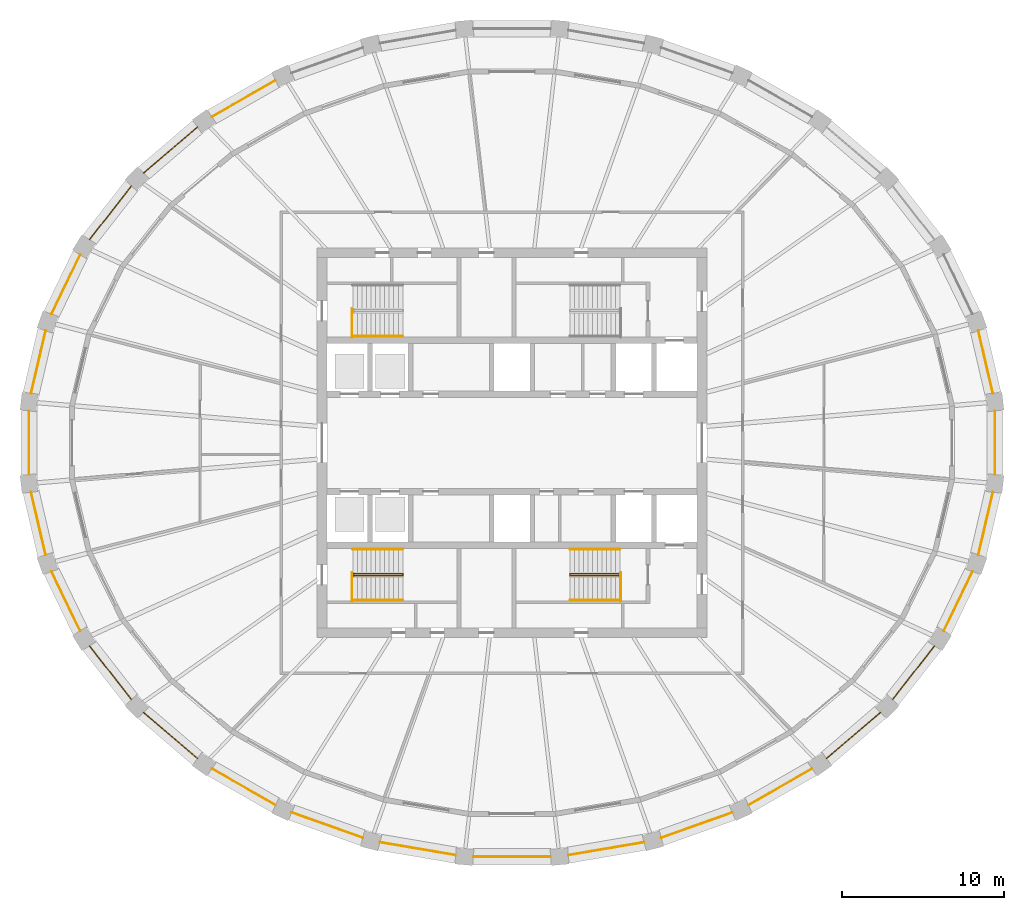
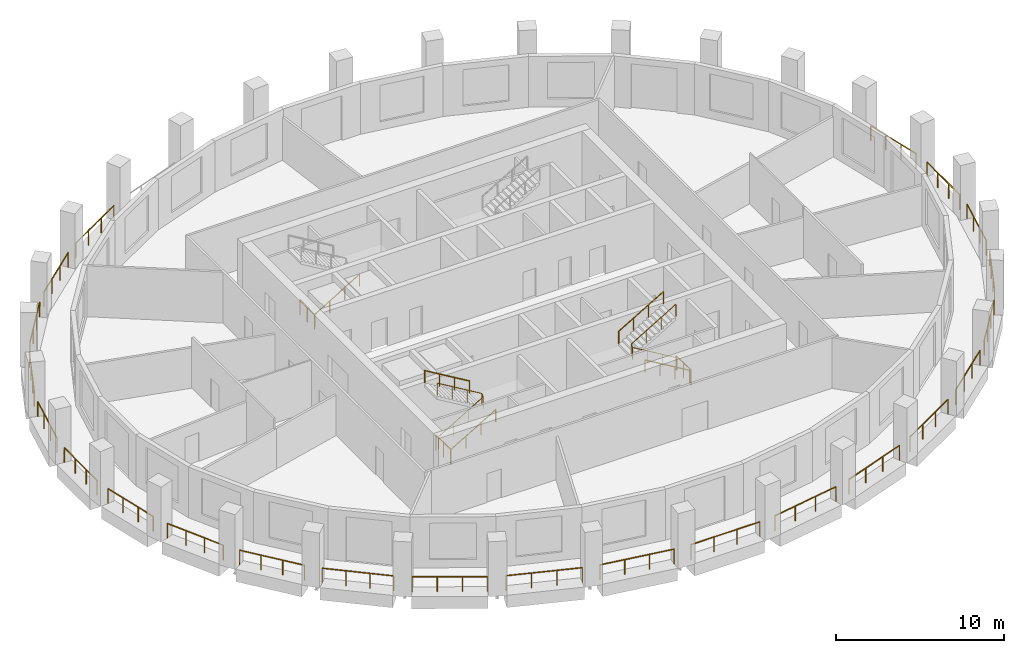
# One storey, part 8 of 10: 33 railings.
"""IFC4 building model written with IfcOpenShell, lengths in metres."""

from ifc_helpers import new_model, si_unit, direction, frame, origin, origin_2d, place, context, subcontext, project, spatial, circle, extrude, material, type_object, element, save


model = new_model("IFC4")

# Units and contexts
model_context = context("Model", 3, precision=1e-05, world=origin(), true_north=direction((0.0, 1.0)))
body_context = subcontext(model_context, "Body", "Model", "MODEL_VIEW")
ifc_project = project(units=[si_unit("LENGTHUNIT", "METRE"), si_unit("AREAUNIT", "SQUARE_METRE"), si_unit("VOLUMEUNIT", "CUBIC_METRE"), si_unit("PLANEANGLEUNIT", "RADIAN"), si_unit("MASSUNIT", "GRAM", prefix="KILO")], contexts=[model_context])

# Site, building, storey
site_placement = place(None, origin())
site = spatial("IfcSite", under=ifc_project, at=site_placement, CompositionType="ELEMENT")
building_placement = place(site_placement, origin())
building = spatial("IfcBuilding", under=site, at=building_placement, Name="Halqa Exchange Tower", CompositionType="ELEMENT")
storey_placement = place(building_placement, frame((0.0, 0.0, 268.300048828125)))
storey = spatial("IfcBuildingStorey", under=building, at=storey_placement, Name="L62", CompositionType="ELEMENT", Elevation=268.300048828125)

# Railings
ifc_material = material(Name="Stainless steel", Category="steel")
railing_type_1 = type_object("IfcRailingType", Name="Guard 1100 stainless steel", PredefinedType="GUARDRAIL", material=ifc_material)
railing_1_placement = place(storey_placement, frame((29.600341796875, 3.045166015625, 0.0)))
element("IfcRailing", 1, at=railing_1_placement, inside=storey, type_object=railing_type_1, Name="Loggia guard 1", PredefinedType="GUARDRAIL", context=body_context, shape_type="SweptSolid", body=[
    extrude(circle(Radius=0.02392578125, at=origin_2d()), frame((0.0, 0.0, 1.076171875), z_axis=(-0.226095175031, 0.974105215995, 0.0), x_axis=(-0.974105215995, -0.226095175031, 0.0)), (0.0, 0.0, 1.0), 3.953125),
    extrude(circle(Radius=0.02099609375, at=origin_2d()), origin(), (0.0, 0.0, 1.0), 1.052001953125),
    extrude(circle(Radius=0.02099609375, at=origin_2d()), frame((-0.2978515625, 1.28369140625, 0.0)), (0.0, 0.0, 1.0), 1.052001953125),
    extrude(circle(Radius=0.02099609375, at=origin_2d()), frame((-0.595947265625, 2.567138671875, 0.0)), (0.0, 0.0, 1.0), 1.052001953125),
    extrude(circle(Radius=0.02099609375, at=origin_2d()), frame((-0.893798828125, 3.850830078125, 0.0)), (0.0, 0.0, 1.0), 1.052001953125),
])
railing_2_placement = place(storey_placement, frame((-14.55712890625, 22.30517578125, 0.0)))
element("IfcRailing", 2, at=railing_2_placement, inside=storey, type_object=railing_type_1, Name="Loggia guard 11", PredefinedType="GUARDRAIL", context=body_context, shape_type="SweptSolid", body=[
    extrude(circle(Radius=0.02392578125, at=origin_2d()), frame((0.0, 0.0, 1.076171875), z_axis=(-0.867743048919, -0.497013079357, 0.0), x_axis=(0.497013079357, -0.867743048919, 0.0)), (0.0, 0.0, 1.0), 4.51025390625),
    extrude(circle(Radius=0.02099609375, at=origin_2d()), origin(), (0.0, 0.0, 1.0), 1.052001953125),
    extrude(circle(Radius=0.02099609375, at=origin_2d()), frame((-1.3046875, -0.747314453125, 0.0)), (0.0, 0.0, 1.0), 1.052001953125),
    extrude(circle(Radius=0.02099609375, at=origin_2d()), frame((-2.609130859375, -1.494384765625, 0.0)), (0.0, 0.0, 1.0), 1.052001953125),
    extrude(circle(Radius=0.02099609375, at=origin_2d()), frame((-3.913818359375, -2.24169921875, 0.0)), (0.0, 0.0, 1.0), 1.052001953125),
])
railing_3_placement = place(storey_placement, frame((-19.365966796875, 19.432373046875, 0.0)))
element("IfcRailing", 3, at=railing_3_placement, inside=storey, type_object=railing_type_1, Name="Loggia guard 12", PredefinedType="GUARDRAIL", context=body_context, shape_type="SweptSolid", body=[
    extrude(circle(Radius=0.02392578125, at=origin_2d()), frame((0.0, 0.0, 1.076171875), z_axis=(-0.759232847893, -0.650819085983, 0.0), x_axis=(0.650819085983, -0.759232847893, 0.0)), (0.0, 0.0, 1.0), 4.35302734375),
    extrude(circle(Radius=0.02099609375, at=origin_2d()), origin(), (0.0, 0.0, 1.0), 1.052001953125),
    extrude(circle(Radius=0.02099609375, at=origin_2d()), frame((-1.1015625, -0.9443359375, 0.0)), (0.0, 0.0, 1.0), 1.052001953125),
    extrude(circle(Radius=0.02099609375, at=origin_2d()), frame((-2.203369140625, -1.888671875, 0.0)), (0.0, 0.0, 1.0), 1.052001953125),
    extrude(circle(Radius=0.02099609375, at=origin_2d()), frame((-3.304931640625, -2.8330078125, 0.0)), (0.0, 0.0, 1.0), 1.052001953125),
])
railing_4_placement = place(storey_placement, frame((-23.4267578125, 15.8076171875, 0.0)))
element("IfcRailing", 4, at=railing_4_placement, inside=storey, type_object=railing_type_1, Name="Loggia guard 13", PredefinedType="GUARDRAIL", context=body_context, shape_type="SweptSolid", body=[
    extrude(circle(Radius=0.02392578125, at=origin_2d()), frame((0.0, 0.0, 1.076171875), z_axis=(-0.614799253617, -0.788683636036, 0.0), x_axis=(0.788683636036, -0.614799253617, 0.0)), (0.0, 0.0, 1.0), 4.191162109375),
    extrude(circle(Radius=0.02099609375, at=origin_2d()), origin(), (0.0, 0.0, 1.0), 1.052001953125),
    extrude(circle(Radius=0.02099609375, at=origin_2d()), frame((-0.85888671875, -1.101806640625, 0.0)), (0.0, 0.0, 1.0), 1.052001953125),
    extrude(circle(Radius=0.02099609375, at=origin_2d()), frame((-1.7177734375, -2.20361328125, 0.0)), (0.0, 0.0, 1.0), 1.052001953125),
    extrude(circle(Radius=0.02099609375, at=origin_2d()), frame((-2.57666015625, -3.305419921875, 0.0)), (0.0, 0.0, 1.0), 1.052001953125),
])
railing_5_placement = place(storey_placement, frame((-26.580810546875, 11.5732421875, 0.0)))
element("IfcRailing", 5, at=railing_5_placement, inside=storey, type_object=railing_type_1, Name="Loggia guard 14", PredefinedType="GUARDRAIL", context=body_context, shape_type="SweptSolid", body=[
    extrude(circle(Radius=0.02392578125, at=origin_2d()), frame((0.0, 0.0, 1.076171875), z_axis=(-0.435140153369, -0.900362730751, 0.0), x_axis=(0.900362730751, -0.435140153369, 0.0)), (0.0, 0.0, 1.0), 4.0498046875),
    extrude(circle(Radius=0.02099609375, at=origin_2d()), origin(), (0.0, 0.0, 1.0), 1.052001953125),
    extrude(circle(Radius=0.02099609375, at=origin_2d()), frame((-0.58740234375, -1.21533203125, 0.0)), (0.0, 0.0, 1.0), 1.052001953125),
    extrude(circle(Radius=0.02099609375, at=origin_2d()), frame((-1.1748046875, -2.430908203125, 0.0)), (0.0, 0.0, 1.0), 1.052001953125),
    extrude(circle(Radius=0.02099609375, at=origin_2d()), frame((-1.76220703125, -3.646240234375, 0.0)), (0.0, 0.0, 1.0), 1.052001953125),
])
railing_6_placement = place(storey_placement, frame((-28.70654296875, 6.89599609375, 0.0)))
element("IfcRailing", 6, at=railing_6_placement, inside=storey, type_object=railing_type_1, Name="Loggia guard 15", PredefinedType="GUARDRAIL", context=body_context, shape_type="SweptSolid", body=[
    extrude(circle(Radius=0.02392578125, at=origin_2d()), frame((0.0, 0.0, 1.076171875), z_axis=(-0.226095175031, -0.974105215995, 0.0), x_axis=(0.974105215995, -0.226095175031, 0.0)), (0.0, 0.0, 1.0), 3.953125),
    extrude(circle(Radius=0.02099609375, at=origin_2d()), origin(), (0.0, 0.0, 1.0), 1.052001953125),
    extrude(circle(Radius=0.02099609375, at=origin_2d()), frame((-0.2978515625, -1.28369140625, 0.0)), (0.0, 0.0, 1.0), 1.052001953125),
    extrude(circle(Radius=0.02099609375, at=origin_2d()), frame((-0.595947265625, -2.567138671875, 0.0)), (0.0, 0.0, 1.0), 1.052001953125),
    extrude(circle(Radius=0.02099609375, at=origin_2d()), frame((-0.893798828125, -3.850830078125, 0.0)), (0.0, 0.0, 1.0), 1.052001953125),
])
railing_7_placement = place(storey_placement, frame((-29.724609375, 1.95947265625, 0.0)))
element("IfcRailing", 7, at=railing_7_placement, inside=storey, type_object=railing_type_1, Name="Loggia guard 16", PredefinedType="GUARDRAIL", context=body_context, shape_type="SweptSolid", body=[
    extrude(circle(Radius=0.02392578125, at=origin_2d()), frame((0.0, 0.0, 1.076171875), z_axis=(0.0, -1.0, 0.0), x_axis=(1.0, 0.0, 0.0)), (0.0, 0.0, 1.0), 3.9189453125),
    extrude(circle(Radius=0.02099609375, at=origin_2d()), origin(), (0.0, 0.0, 1.0), 1.052001953125),
    extrude(circle(Radius=0.02099609375, at=origin_2d()), frame((0.0, -1.306396484375, 0.0)), (0.0, 0.0, 1.0), 1.052001953125),
    extrude(circle(Radius=0.02099609375, at=origin_2d()), frame((0.0, -2.612548828125, 0.0)), (0.0, 0.0, 1.0), 1.052001953125),
    extrude(circle(Radius=0.02099609375, at=origin_2d()), frame((0.0, -3.9189453125, 0.0)), (0.0, 0.0, 1.0), 1.052001953125),
])
railing_8_placement = place(storey_placement, frame((-29.600341796875, -3.045166015625, 0.0)))
element("IfcRailing", 8, at=railing_8_placement, inside=storey, type_object=railing_type_1, Name="Loggia guard 17", PredefinedType="GUARDRAIL", context=body_context, shape_type="SweptSolid", body=[
    extrude(circle(Radius=0.02392578125, at=origin_2d()), frame((0.0, 0.0, 1.076171875), z_axis=(0.226095175031, -0.974105215995, 0.0), x_axis=(0.974105215995, 0.226095175031, 0.0)), (0.0, 0.0, 1.0), 3.953125),
    extrude(circle(Radius=0.02099609375, at=origin_2d()), origin(), (0.0, 0.0, 1.0), 1.052001953125),
    extrude(circle(Radius=0.02099609375, at=origin_2d()), frame((0.2978515625, -1.28369140625, 0.0)), (0.0, 0.0, 1.0), 1.052001953125),
    extrude(circle(Radius=0.02099609375, at=origin_2d()), frame((0.595947265625, -2.567138671875, 0.0)), (0.0, 0.0, 1.0), 1.052001953125),
    extrude(circle(Radius=0.02099609375, at=origin_2d()), frame((0.893798828125, -3.850830078125, 0.0)), (0.0, 0.0, 1.0), 1.052001953125),
])
railing_9_placement = place(storey_placement, frame((-28.343017578125, -7.927001953125, 0.0)))
element("IfcRailing", 9, at=railing_9_placement, inside=storey, type_object=railing_type_1, Name="Loggia guard 18", PredefinedType="GUARDRAIL", context=body_context, shape_type="SweptSolid", body=[
    extrude(circle(Radius=0.02392578125, at=origin_2d()), frame((0.0, 0.0, 1.076171875), z_axis=(0.435140153369, -0.900362730751, 0.0), x_axis=(0.900362730751, 0.435140153369, 0.0)), (0.0, 0.0, 1.0), 4.0498046875),
    extrude(circle(Radius=0.02099609375, at=origin_2d()), origin(), (0.0, 0.0, 1.0), 1.052001953125),
    extrude(circle(Radius=0.02099609375, at=origin_2d()), frame((0.58740234375, -1.21533203125, 0.0)), (0.0, 0.0, 1.0), 1.052001953125),
    extrude(circle(Radius=0.02099609375, at=origin_2d()), frame((1.1748046875, -2.430908203125, 0.0)), (0.0, 0.0, 1.0), 1.052001953125),
    extrude(circle(Radius=0.02099609375, at=origin_2d()), frame((1.76220703125, -3.646240234375, 0.0)), (0.0, 0.0, 1.0), 1.052001953125),
])
railing_10_placement = place(storey_placement, frame((-26.00341796875, -12.502197265625, 0.0)))
element("IfcRailing", 10, at=railing_10_placement, inside=storey, type_object=railing_type_1, Name="Loggia guard 19", PredefinedType="GUARDRAIL", context=body_context, shape_type="SweptSolid", body=[
    extrude(circle(Radius=0.02392578125, at=origin_2d()), frame((0.0, 0.0, 1.076171875), z_axis=(0.614799253617, -0.788683636036, 0.0), x_axis=(0.788683636036, 0.614799253617, 0.0)), (0.0, 0.0, 1.0), 4.191162109375),
    extrude(circle(Radius=0.02099609375, at=origin_2d()), origin(), (0.0, 0.0, 1.0), 1.052001953125),
    extrude(circle(Radius=0.02099609375, at=origin_2d()), frame((0.85888671875, -1.101806640625, 0.0)), (0.0, 0.0, 1.0), 1.052001953125),
    extrude(circle(Radius=0.02099609375, at=origin_2d()), frame((1.7177734375, -2.20361328125, 0.0)), (0.0, 0.0, 1.0), 1.052001953125),
    extrude(circle(Radius=0.02099609375, at=origin_2d()), frame((2.57666015625, -3.305419921875, 0.0)), (0.0, 0.0, 1.0), 1.052001953125),
])
railing_11_placement = place(storey_placement, frame((-22.6708984375, -16.599365234375, 0.0)))
element("IfcRailing", 11, at=railing_11_placement, inside=storey, type_object=railing_type_1, Name="Loggia guard 20", PredefinedType="GUARDRAIL", context=body_context, shape_type="SweptSolid", body=[
    extrude(circle(Radius=0.02392578125, at=origin_2d()), frame((0.0, 0.0, 1.076171875), z_axis=(0.759232847893, -0.650819085983, 0.0), x_axis=(0.650819085983, 0.759232847893, 0.0)), (0.0, 0.0, 1.0), 4.35302734375),
    extrude(circle(Radius=0.02099609375, at=origin_2d()), origin(), (0.0, 0.0, 1.0), 1.052001953125),
    extrude(circle(Radius=0.02099609375, at=origin_2d()), frame((1.1015625, -0.9443359375, 0.0)), (0.0, 0.0, 1.0), 1.052001953125),
    extrude(circle(Radius=0.02099609375, at=origin_2d()), frame((2.203369140625, -1.888671875, 0.0)), (0.0, 0.0, 1.0), 1.052001953125),
    extrude(circle(Radius=0.02099609375, at=origin_2d()), frame((3.304931640625, -2.8330078125, 0.0)), (0.0, 0.0, 1.0), 1.052001953125),
])
railing_12_placement = place(storey_placement, frame((-18.470947265625, -20.0634765625, 0.0)))
element("IfcRailing", 12, at=railing_12_placement, inside=storey, type_object=railing_type_1, Name="Loggia guard 21", PredefinedType="GUARDRAIL", context=body_context, shape_type="SweptSolid", body=[
    extrude(circle(Radius=0.02392578125, at=origin_2d()), frame((0.0, 0.0, 1.076171875), z_axis=(0.867743048919, -0.497013079357, 0.0), x_axis=(0.497013079357, 0.867743048919, 0.0)), (0.0, 0.0, 1.0), 4.51025390625),
    extrude(circle(Radius=0.02099609375, at=origin_2d()), origin(), (0.0, 0.0, 1.0), 1.052001953125),
    extrude(circle(Radius=0.02099609375, at=origin_2d()), frame((1.3046875, -0.747314453125, 0.0)), (0.0, 0.0, 1.0), 1.052001953125),
    extrude(circle(Radius=0.02099609375, at=origin_2d()), frame((2.609130859375, -1.494384765625, 0.0)), (0.0, 0.0, 1.0), 1.052001953125),
    extrude(circle(Radius=0.02099609375, at=origin_2d()), frame((3.913818359375, -2.24169921875, 0.0)), (0.0, 0.0, 1.0), 1.052001953125),
])
railing_13_placement = place(storey_placement, frame((-13.5615234375, -22.762451171875, 0.0)))
element("IfcRailing", 13, at=railing_13_placement, inside=storey, type_object=railing_type_1, Name="Loggia guard 22", PredefinedType="GUARDRAIL", context=body_context, shape_type="SweptSolid", body=[
    extrude(circle(Radius=0.02392578125, at=origin_2d()), frame((0.0, 0.0, 1.076171875), z_axis=(0.942353373352, -0.334619365447, 0.0), x_axis=(0.334619365447, 0.942353373352, 0.0)), (0.0, 0.0, 1.0), 4.640380859375),
    extrude(circle(Radius=0.02099609375, at=origin_2d()), origin(), (0.0, 0.0, 1.0), 1.052001953125),
    extrude(circle(Radius=0.02099609375, at=origin_2d()), frame((1.45751953125, -0.517578125, 0.0)), (0.0, 0.0, 1.0), 1.052001953125),
    extrude(circle(Radius=0.02099609375, at=origin_2d()), frame((2.915283203125, -1.03515625, 0.0)), (0.0, 0.0, 1.0), 1.052001953125),
    extrude(circle(Radius=0.02099609375, at=origin_2d()), frame((4.372802734375, -1.552734375, 0.0)), (0.0, 0.0, 1.0), 1.052001953125),
])
railing_14_placement = place(storey_placement, frame((-8.128173828125, -24.591552734375, 0.0)))
element("IfcRailing", 14, at=railing_14_placement, inside=storey, type_object=railing_type_1, Name="Loggia guard 23", PredefinedType="GUARDRAIL", context=body_context, shape_type="SweptSolid", body=[
    extrude(circle(Radius=0.02392578125, at=origin_2d()), frame((0.0, 0.0, 1.076171875), z_axis=(0.985776950658, -0.168058928803, 0.0), x_axis=(0.168058928803, 0.985776950658, 0.0)), (0.0, 0.0, 1.0), 4.7255859375),
    extrude(circle(Radius=0.02099609375, at=origin_2d()), origin(), (0.0, 0.0, 1.0), 1.052001953125),
    extrude(circle(Radius=0.02099609375, at=origin_2d()), frame((1.552734375, -0.2646484375, 0.0)), (0.0, 0.0, 1.0), 1.052001953125),
    extrude(circle(Radius=0.02099609375, at=origin_2d()), frame((3.105712890625, -0.529541015625, 0.0)), (0.0, 0.0, 1.0), 1.052001953125),
    extrude(circle(Radius=0.02099609375, at=origin_2d()), frame((4.658447265625, -0.794189453125, 0.0)), (0.0, 0.0, 1.0), 1.052001953125),
])
railing_15_placement = place(storey_placement, frame((-2.377685546875, -25.478271484375, 0.0)))
element("IfcRailing", 15, at=railing_15_placement, inside=storey, type_object=railing_type_1, Name="Loggia guard 24", PredefinedType="GUARDRAIL", context=body_context, shape_type="SweptSolid", body=[
    extrude(circle(Radius=0.02392578125, at=origin_2d()), frame((0.0, 0.0, 1.076171875), z_axis=(1.0, 0.0, 0.0), x_axis=(0.0, 1.0, 0.0)), (0.0, 0.0, 1.0), 4.75537109375),
    extrude(circle(Radius=0.02099609375, at=origin_2d()), origin(), (0.0, 0.0, 1.0), 1.052001953125),
    extrude(circle(Radius=0.02099609375, at=origin_2d()), frame((1.585205078125, 0.0, 0.0)), (0.0, 0.0, 1.0), 1.052001953125),
    extrude(circle(Radius=0.02099609375, at=origin_2d()), frame((3.170166015625, 0.0, 0.0)), (0.0, 0.0, 1.0), 1.052001953125),
    extrude(circle(Radius=0.02099609375, at=origin_2d()), frame((4.75537109375, 0.0, 0.0)), (0.0, 0.0, 1.0), 1.052001953125),
])
railing_16_placement = place(storey_placement, frame((3.4697265625, -25.3857421875, 0.0)))
element("IfcRailing", 16, at=railing_16_placement, inside=storey, type_object=railing_type_1, Name="Loggia guard 25", PredefinedType="GUARDRAIL", context=body_context, shape_type="SweptSolid", body=[
    extrude(circle(Radius=0.02392578125, at=origin_2d()), frame((0.0, 0.0, 1.076171875), z_axis=(0.985776950658, 0.168058928803, 0.0), x_axis=(-0.168058928803, 0.985776950658, 0.0)), (0.0, 0.0, 1.0), 4.7255859375),
    extrude(circle(Radius=0.02099609375, at=origin_2d()), origin(), (0.0, 0.0, 1.0), 1.052001953125),
    extrude(circle(Radius=0.02099609375, at=origin_2d()), frame((1.552734375, 0.2646484375, 0.0)), (0.0, 0.0, 1.0), 1.052001953125),
    extrude(circle(Radius=0.02099609375, at=origin_2d()), frame((3.105712890625, 0.529541015625, 0.0)), (0.0, 0.0, 1.0), 1.052001953125),
    extrude(circle(Radius=0.02099609375, at=origin_2d()), frame((4.658447265625, 0.794189453125, 0.0)), (0.0, 0.0, 1.0), 1.052001953125),
])
railing_17_placement = place(storey_placement, frame((9.188720703125, -24.315185546875, 0.0)))
element("IfcRailing", 17, at=railing_17_placement, inside=storey, type_object=railing_type_1, Name="Loggia guard 26", PredefinedType="GUARDRAIL", context=body_context, shape_type="SweptSolid", body=[
    extrude(circle(Radius=0.02392578125, at=origin_2d()), frame((0.0, 0.0, 1.076171875), z_axis=(0.942353373352, 0.334619365447, 0.0), x_axis=(-0.334619365447, 0.942353373352, 0.0)), (0.0, 0.0, 1.0), 4.640380859375),
    extrude(circle(Radius=0.02099609375, at=origin_2d()), origin(), (0.0, 0.0, 1.0), 1.052001953125),
    extrude(circle(Radius=0.02099609375, at=origin_2d()), frame((1.45751953125, 0.517578125, 0.0)), (0.0, 0.0, 1.0), 1.052001953125),
    extrude(circle(Radius=0.02099609375, at=origin_2d()), frame((2.915283203125, 1.03515625, 0.0)), (0.0, 0.0, 1.0), 1.052001953125),
    extrude(circle(Radius=0.02099609375, at=origin_2d()), frame((4.372802734375, 1.552734375, 0.0)), (0.0, 0.0, 1.0), 1.052001953125),
])
railing_18_placement = place(storey_placement, frame((14.55712890625, -22.30517578125, 0.0)))
element("IfcRailing", 18, at=railing_18_placement, inside=storey, type_object=railing_type_1, Name="Loggia guard 27", PredefinedType="GUARDRAIL", context=body_context, shape_type="SweptSolid", body=[
    extrude(circle(Radius=0.02392578125, at=origin_2d()), frame((0.0, 0.0, 1.076171875), z_axis=(0.867743048919, 0.497013079357, 0.0), x_axis=(-0.497013079357, 0.867743048919, 0.0)), (0.0, 0.0, 1.0), 4.51025390625),
    extrude(circle(Radius=0.02099609375, at=origin_2d()), origin(), (0.0, 0.0, 1.0), 1.052001953125),
    extrude(circle(Radius=0.02099609375, at=origin_2d()), frame((1.3046875, 0.747314453125, 0.0)), (0.0, 0.0, 1.0), 1.052001953125),
    extrude(circle(Radius=0.02099609375, at=origin_2d()), frame((2.609130859375, 1.494384765625, 0.0)), (0.0, 0.0, 1.0), 1.052001953125),
    extrude(circle(Radius=0.02099609375, at=origin_2d()), frame((3.913818359375, 2.24169921875, 0.0)), (0.0, 0.0, 1.0), 1.052001953125),
])
railing_19_placement = place(storey_placement, frame((19.365966796875, -19.432373046875, 0.0)))
element("IfcRailing", 19, at=railing_19_placement, inside=storey, type_object=railing_type_1, Name="Loggia guard 28", PredefinedType="GUARDRAIL", context=body_context, shape_type="SweptSolid", body=[
    extrude(circle(Radius=0.02392578125, at=origin_2d()), frame((0.0, 0.0, 1.076171875), z_axis=(0.759232847893, 0.650819085983, 0.0), x_axis=(-0.650819085983, 0.759232847893, 0.0)), (0.0, 0.0, 1.0), 4.35302734375),
    extrude(circle(Radius=0.02099609375, at=origin_2d()), origin(), (0.0, 0.0, 1.0), 1.052001953125),
    extrude(circle(Radius=0.02099609375, at=origin_2d()), frame((1.1015625, 0.9443359375, 0.0)), (0.0, 0.0, 1.0), 1.052001953125),
    extrude(circle(Radius=0.02099609375, at=origin_2d()), frame((2.203369140625, 1.888671875, 0.0)), (0.0, 0.0, 1.0), 1.052001953125),
    extrude(circle(Radius=0.02099609375, at=origin_2d()), frame((3.304931640625, 2.8330078125, 0.0)), (0.0, 0.0, 1.0), 1.052001953125),
])
railing_20_placement = place(storey_placement, frame((23.4267578125, -15.8076171875, 0.0)))
element("IfcRailing", 20, at=railing_20_placement, inside=storey, type_object=railing_type_1, Name="Loggia guard 29", PredefinedType="GUARDRAIL", context=body_context, shape_type="SweptSolid", body=[
    extrude(circle(Radius=0.02392578125, at=origin_2d()), frame((0.0, 0.0, 1.076171875), z_axis=(0.614799253617, 0.788683636036, 0.0), x_axis=(-0.788683636036, 0.614799253617, 0.0)), (0.0, 0.0, 1.0), 4.191162109375),
    extrude(circle(Radius=0.02099609375, at=origin_2d()), origin(), (0.0, 0.0, 1.0), 1.052001953125),
    extrude(circle(Radius=0.02099609375, at=origin_2d()), frame((0.85888671875, 1.101806640625, 0.0)), (0.0, 0.0, 1.0), 1.052001953125),
    extrude(circle(Radius=0.02099609375, at=origin_2d()), frame((1.7177734375, 2.20361328125, 0.0)), (0.0, 0.0, 1.0), 1.052001953125),
    extrude(circle(Radius=0.02099609375, at=origin_2d()), frame((2.57666015625, 3.305419921875, 0.0)), (0.0, 0.0, 1.0), 1.052001953125),
])
railing_21_placement = place(storey_placement, frame((26.580810546875, -11.5732421875, 0.0)))
element("IfcRailing", 21, at=railing_21_placement, inside=storey, type_object=railing_type_1, Name="Loggia guard 30", PredefinedType="GUARDRAIL", context=body_context, shape_type="SweptSolid", body=[
    extrude(circle(Radius=0.02392578125, at=origin_2d()), frame((0.0, 0.0, 1.076171875), z_axis=(0.435140153369, 0.900362730751, 0.0), x_axis=(-0.900362730751, 0.435140153369, 0.0)), (0.0, 0.0, 1.0), 4.0498046875),
    extrude(circle(Radius=0.02099609375, at=origin_2d()), origin(), (0.0, 0.0, 1.0), 1.052001953125),
    extrude(circle(Radius=0.02099609375, at=origin_2d()), frame((0.58740234375, 1.21533203125, 0.0)), (0.0, 0.0, 1.0), 1.052001953125),
    extrude(circle(Radius=0.02099609375, at=origin_2d()), frame((1.1748046875, 2.430908203125, 0.0)), (0.0, 0.0, 1.0), 1.052001953125),
    extrude(circle(Radius=0.02099609375, at=origin_2d()), frame((1.76220703125, 3.646240234375, 0.0)), (0.0, 0.0, 1.0), 1.052001953125),
])
railing_22_placement = place(storey_placement, frame((28.70654296875, -6.89599609375, 0.0)))
element("IfcRailing", 22, at=railing_22_placement, inside=storey, type_object=railing_type_1, Name="Loggia guard 31", PredefinedType="GUARDRAIL", context=body_context, shape_type="SweptSolid", body=[
    extrude(circle(Radius=0.02392578125, at=origin_2d()), frame((0.0, 0.0, 1.076171875), z_axis=(0.226095175031, 0.974105215995, 0.0), x_axis=(-0.974105215995, 0.226095175031, 0.0)), (0.0, 0.0, 1.0), 3.953125),
    extrude(circle(Radius=0.02099609375, at=origin_2d()), origin(), (0.0, 0.0, 1.0), 1.052001953125),
    extrude(circle(Radius=0.02099609375, at=origin_2d()), frame((0.2978515625, 1.28369140625, 0.0)), (0.0, 0.0, 1.0), 1.052001953125),
    extrude(circle(Radius=0.02099609375, at=origin_2d()), frame((0.595947265625, 2.567138671875, 0.0)), (0.0, 0.0, 1.0), 1.052001953125),
    extrude(circle(Radius=0.02099609375, at=origin_2d()), frame((0.893798828125, 3.850830078125, 0.0)), (0.0, 0.0, 1.0), 1.052001953125),
])
railing_23_placement = place(storey_placement, frame((29.724609375, -1.95947265625, 0.0)))
element("IfcRailing", 23, at=railing_23_placement, inside=storey, type_object=railing_type_1, Name="Loggia guard 32", PredefinedType="GUARDRAIL", context=body_context, shape_type="SweptSolid", body=[
    extrude(circle(Radius=0.02392578125, at=origin_2d()), frame((0.0, 0.0, 1.076171875), z_axis=(0.0, 1.0, 0.0), x_axis=(-1.0, 0.0, 0.0)), (0.0, 0.0, 1.0), 3.9189453125),
    extrude(circle(Radius=0.02099609375, at=origin_2d()), origin(), (0.0, 0.0, 1.0), 1.052001953125),
    extrude(circle(Radius=0.02099609375, at=origin_2d()), frame((0.0, 1.306396484375, 0.0)), (0.0, 0.0, 1.0), 1.052001953125),
    extrude(circle(Radius=0.02099609375, at=origin_2d()), frame((0.0, 2.612548828125, 0.0)), (0.0, 0.0, 1.0), 1.052001953125),
    extrude(circle(Radius=0.02099609375, at=origin_2d()), frame((0.0, 3.9189453125, 0.0)), (0.0, 0.0, 1.0), 1.052001953125),
])
railing_type_2 = type_object("IfcRailingType", Name="Stair handrail 900", PredefinedType="HANDRAIL", material=ifc_material)
railing_24_placement = place(storey_placement, frame((-9.800048828125, 6.550048828125, 0.166748046875)))
element("IfcRailing", 24, at=railing_24_placement, inside=storey, type_object=railing_type_2, Name="Handrail ST1.2", PredefinedType="HANDRAIL", context=body_context, shape_type="SweptSolid", body=[
    extrude(circle(Radius=0.02392578125, at=origin_2d()), frame((0.0, 0.0, 0.8759765625), z_axis=(0.859308565015, 0.0, 0.511457515432), x_axis=(0.0, 1.0, 0.0)), (0.0, 0.0, 1.0), 3.58447265625),
    extrude(circle(Radius=0.02099609375, at=origin_2d()), origin(), (0.0, 0.0, 1.0), 0.851806640625),
    extrude(circle(Radius=0.02099609375, at=origin_2d()), frame((1.026611328125, 0.0, 0.611083984375)), (0.0, 0.0, 1.0), 0.851806640625),
    extrude(circle(Radius=0.02099609375, at=origin_2d()), frame((2.053466796875, 0.0, 1.22216796875)), (0.0, 0.0, 1.0), 0.851806640625),
    extrude(circle(Radius=0.02099609375, at=origin_2d()), frame((3.080078125, 0.0, 1.833251953125)), (0.0, 0.0, 1.0), 0.851806640625),
])
railing_25_placement = place(storey_placement, frame((-9.800048828125, -8.18994140625, 0.166748046875)))
element("IfcRailing", 25, at=railing_25_placement, inside=storey, type_object=railing_type_2, Name="Handrail ST3.1", PredefinedType="HANDRAIL", context=body_context, shape_type="SweptSolid", body=[
    extrude(circle(Radius=0.02392578125, at=origin_2d()), frame((0.0, 0.0, 0.8759765625), z_axis=(0.859308565015, 0.0, 0.511457515432), x_axis=(0.0, 1.0, 0.0)), (0.0, 0.0, 1.0), 3.58447265625),
    extrude(circle(Radius=0.02392578125, at=origin_2d()), frame((3.080078125, 0.0, 2.708984375), z_axis=(0.0, 0.614500226555, 0.788916644243), x_axis=(-1.0, 0.0, 0.0)), (0.0, 0.0, 1.0), 0.21142578125),
    extrude(circle(Radius=0.02392578125, at=origin_2d()), frame((3.080078125, 0.1298828125, 2.8759765625), z_axis=(-0.859308565015, 0.0, 0.511457515432), x_axis=(0.0, -1.0, 0.0)), (0.0, 0.0, 1.0), 3.58447265625),
    extrude(circle(Radius=0.02099609375, at=origin_2d()), origin(), (0.0, 0.0, 1.0), 0.851806640625),
    extrude(circle(Radius=0.02099609375, at=origin_2d()), frame((1.026611328125, 0.0, 0.611083984375)), (0.0, 0.0, 1.0), 0.851806640625),
    extrude(circle(Radius=0.02099609375, at=origin_2d()), frame((2.053466796875, 0.0, 1.22216796875)), (0.0, 0.0, 1.0), 0.851806640625),
    extrude(circle(Radius=0.02099609375, at=origin_2d()), frame((3.080078125, 0.0, 1.833251953125)), (0.0, 0.0, 1.0), 0.851806640625),
    extrude(circle(Radius=0.02099609375, at=origin_2d()), frame((3.080078125, 0.1298828125, 2.0)), (0.0, 0.0, 1.0), 0.851806640625),
    extrude(circle(Radius=0.02099609375, at=origin_2d()), frame((2.053466796875, 0.1298828125, 2.611083984375)), (0.0, 0.0, 1.0), 0.851806640625),
    extrude(circle(Radius=0.02099609375, at=origin_2d()), frame((1.026611328125, 0.1298828125, 3.22216796875)), (0.0, 0.0, 1.0), 0.851806640625),
    extrude(circle(Radius=0.02099609375, at=origin_2d()), frame((0.0, 0.1298828125, 3.833251953125)), (0.0, 0.0, 1.0), 0.851806640625),
])
railing_26_placement = place(storey_placement, frame((-9.800048828125, -9.699951171875, 0.166748046875)))
element("IfcRailing", 26, at=railing_26_placement, inside=storey, type_object=railing_type_2, Name="Handrail ST3.2", PredefinedType="HANDRAIL", context=body_context, shape_type="SweptSolid", body=[
    extrude(circle(Radius=0.02392578125, at=origin_2d()), frame((0.0, 0.0, 0.8759765625), z_axis=(0.859308565015, 0.0, 0.511457515432), x_axis=(0.0, 1.0, 0.0)), (0.0, 0.0, 1.0), 3.58447265625),
    extrude(circle(Radius=0.02099609375, at=origin_2d()), origin(), (0.0, 0.0, 1.0), 0.851806640625),
    extrude(circle(Radius=0.02099609375, at=origin_2d()), frame((1.026611328125, 0.0, 0.611083984375)), (0.0, 0.0, 1.0), 0.851806640625),
    extrude(circle(Radius=0.02099609375, at=origin_2d()), frame((2.053466796875, 0.0, 1.22216796875)), (0.0, 0.0, 1.0), 0.851806640625),
    extrude(circle(Radius=0.02099609375, at=origin_2d()), frame((3.080078125, 0.0, 1.833251953125)), (0.0, 0.0, 1.0), 0.851806640625),
])
railing_27_placement = place(storey_placement, frame((-6.719970703125, -6.550048828125, 2.166748046875)))
element("IfcRailing", 27, at=railing_27_placement, inside=storey, type_object=railing_type_2, Name="Handrail ST3.3", PredefinedType="HANDRAIL", context=body_context, shape_type="SweptSolid", body=[
    extrude(circle(Radius=0.02392578125, at=origin_2d()), frame((0.0, 0.0, 0.8759765625), z_axis=(-0.859308565015, 0.0, 0.511457515432), x_axis=(0.0, -1.0, 0.0)), (0.0, 0.0, 1.0), 3.58447265625),
    extrude(circle(Radius=0.02099609375, at=origin_2d()), origin(), (0.0, 0.0, 1.0), 0.851806640625),
    extrude(circle(Radius=0.02099609375, at=origin_2d()), frame((-1.026611328125, 0.0, 0.611083984375)), (0.0, 0.0, 1.0), 0.851806640625),
    extrude(circle(Radius=0.02099609375, at=origin_2d()), frame((-2.053466796875, 0.0, 1.22216796875)), (0.0, 0.0, 1.0), 0.851806640625),
    extrude(circle(Radius=0.02099609375, at=origin_2d()), frame((-3.080078125, 0.0, 1.833251953125)), (0.0, 0.0, 1.0), 0.851806640625),
])
railing_28_placement = place(storey_placement, frame((6.64990234375, -8.18994140625, 0.166748046875)))
element("IfcRailing", 28, at=railing_28_placement, inside=storey, type_object=railing_type_2, Name="Handrail ST4.1", PredefinedType="HANDRAIL", context=body_context, shape_type="SweptSolid", body=[
    extrude(circle(Radius=0.02392578125, at=origin_2d()), frame((0.0, 0.0, 0.8759765625), z_axis=(-0.859290745958, 0.0, 0.51148745235), x_axis=(0.0, -1.0, 0.0)), (0.0, 0.0, 1.0), 3.584228515625),
    extrude(circle(Radius=0.02392578125, at=origin_2d()), frame((-3.079833984375, 0.0, 2.708984375), z_axis=(0.0, 0.614500226555, 0.788916644243), x_axis=(-1.0, 0.0, 0.0)), (0.0, 0.0, 1.0), 0.21142578125),
    extrude(circle(Radius=0.02392578125, at=origin_2d()), frame((-3.079833984375, 0.1298828125, 2.8759765625), z_axis=(0.859290745958, 0.0, 0.51148745235), x_axis=(0.0, 1.0, 0.0)), (0.0, 0.0, 1.0), 3.584228515625),
    extrude(circle(Radius=0.02099609375, at=origin_2d()), origin(), (0.0, 0.0, 1.0), 0.851806640625),
    extrude(circle(Radius=0.02099609375, at=origin_2d()), frame((-1.026611328125, 0.0, 0.611083984375)), (0.0, 0.0, 1.0), 0.851806640625),
    extrude(circle(Radius=0.02099609375, at=origin_2d()), frame((-2.05322265625, 0.0, 1.22216796875)), (0.0, 0.0, 1.0), 0.851806640625),
    extrude(circle(Radius=0.02099609375, at=origin_2d()), frame((-3.079833984375, 0.0, 1.833251953125)), (0.0, 0.0, 1.0), 0.851806640625),
    extrude(circle(Radius=0.02099609375, at=origin_2d()), frame((-3.079833984375, 0.1298828125, 2.0)), (0.0, 0.0, 1.0), 0.851806640625),
    extrude(circle(Radius=0.02099609375, at=origin_2d()), frame((-2.05322265625, 0.1298828125, 2.611083984375)), (0.0, 0.0, 1.0), 0.851806640625),
    extrude(circle(Radius=0.02099609375, at=origin_2d()), frame((-1.026611328125, 0.1298828125, 3.22216796875)), (0.0, 0.0, 1.0), 0.851806640625),
    extrude(circle(Radius=0.02099609375, at=origin_2d()), frame((0.0, 0.1298828125, 3.833251953125)), (0.0, 0.0, 1.0), 0.851806640625),
])
railing_29_placement = place(storey_placement, frame((6.64990234375, -9.699951171875, 0.166748046875)))
element("IfcRailing", 29, at=railing_29_placement, inside=storey, type_object=railing_type_2, Name="Handrail ST4.2", PredefinedType="HANDRAIL", context=body_context, shape_type="SweptSolid", body=[
    extrude(circle(Radius=0.02392578125, at=origin_2d()), frame((0.0, 0.0, 0.8759765625), z_axis=(-0.859290745958, 0.0, 0.51148745235), x_axis=(0.0, -1.0, 0.0)), (0.0, 0.0, 1.0), 3.584228515625),
    extrude(circle(Radius=0.02099609375, at=origin_2d()), origin(), (0.0, 0.0, 1.0), 0.851806640625),
    extrude(circle(Radius=0.02099609375, at=origin_2d()), frame((-1.026611328125, 0.0, 0.611083984375)), (0.0, 0.0, 1.0), 0.851806640625),
    extrude(circle(Radius=0.02099609375, at=origin_2d()), frame((-2.05322265625, 0.0, 1.22216796875)), (0.0, 0.0, 1.0), 0.851806640625),
    extrude(circle(Radius=0.02099609375, at=origin_2d()), frame((-3.079833984375, 0.0, 1.833251953125)), (0.0, 0.0, 1.0), 0.851806640625),
])
railing_30_placement = place(storey_placement, frame((3.570068359375, -6.550048828125, 2.166748046875)))
element("IfcRailing", 30, at=railing_30_placement, inside=storey, type_object=railing_type_2, Name="Handrail ST4.3", PredefinedType="HANDRAIL", context=body_context, shape_type="SweptSolid", body=[
    extrude(circle(Radius=0.02392578125, at=origin_2d()), frame((0.0, 0.0, 0.8759765625), z_axis=(0.859290745958, 0.0, 0.51148745235), x_axis=(0.0, 1.0, 0.0)), (0.0, 0.0, 1.0), 3.584228515625),
    extrude(circle(Radius=0.02099609375, at=origin_2d()), origin(), (0.0, 0.0, 1.0), 0.851806640625),
    extrude(circle(Radius=0.02099609375, at=origin_2d()), frame((1.026611328125, 0.0, 0.611083984375)), (0.0, 0.0, 1.0), 0.851806640625),
    extrude(circle(Radius=0.02099609375, at=origin_2d()), frame((2.05322265625, 0.0, 1.22216796875)), (0.0, 0.0, 1.0), 0.851806640625),
    extrude(circle(Radius=0.02099609375, at=origin_2d()), frame((3.079833984375, 0.0, 1.833251953125)), (0.0, 0.0, 1.0), 0.851806640625),
])
railing_type_3 = type_object("IfcRailingType", Name="Stair well guard 1100", PredefinedType="GUARDRAIL", material=ifc_material)
for number, where, name in (
    (31, (-9.85009765625, 6.5, 0.0), "Guard ST1 well"),
    (32, (-9.85009765625, -9.75, 0.0), "Guard ST3 well"),
    (33, (6.699951171875, -9.75, 0.0), "Guard ST4 well"),
):
    element("IfcRailing", number, at=place(storey_placement, frame(where)), inside=storey, type_object=railing_type_3, Name=name, PredefinedType="GUARDRAIL", context=body_context, shape_type="SweptSolid", body=[
        extrude(circle(Radius=0.02392578125, at=origin_2d()), frame((0.0, 0.0, 1.076171875), z_axis=(0.0, 1.0, 0.0), x_axis=(-1.0, 0.0, 0.0)), (0.0, 0.0, 1.0), 1.75),
        extrude(circle(Radius=0.02099609375, at=origin_2d()), origin(), (0.0, 0.0, 1.0), 1.052001953125),
        extrude(circle(Radius=0.02099609375, at=origin_2d()), frame((0.0, 0.875, 0.0)), (0.0, 0.0, 1.0), 1.052001953125),
        extrude(circle(Radius=0.02099609375, at=origin_2d()), frame((0.0, 1.75, 0.0)), (0.0, 0.0, 1.0), 1.052001953125),
    ])

save(model, "model.ifc")
